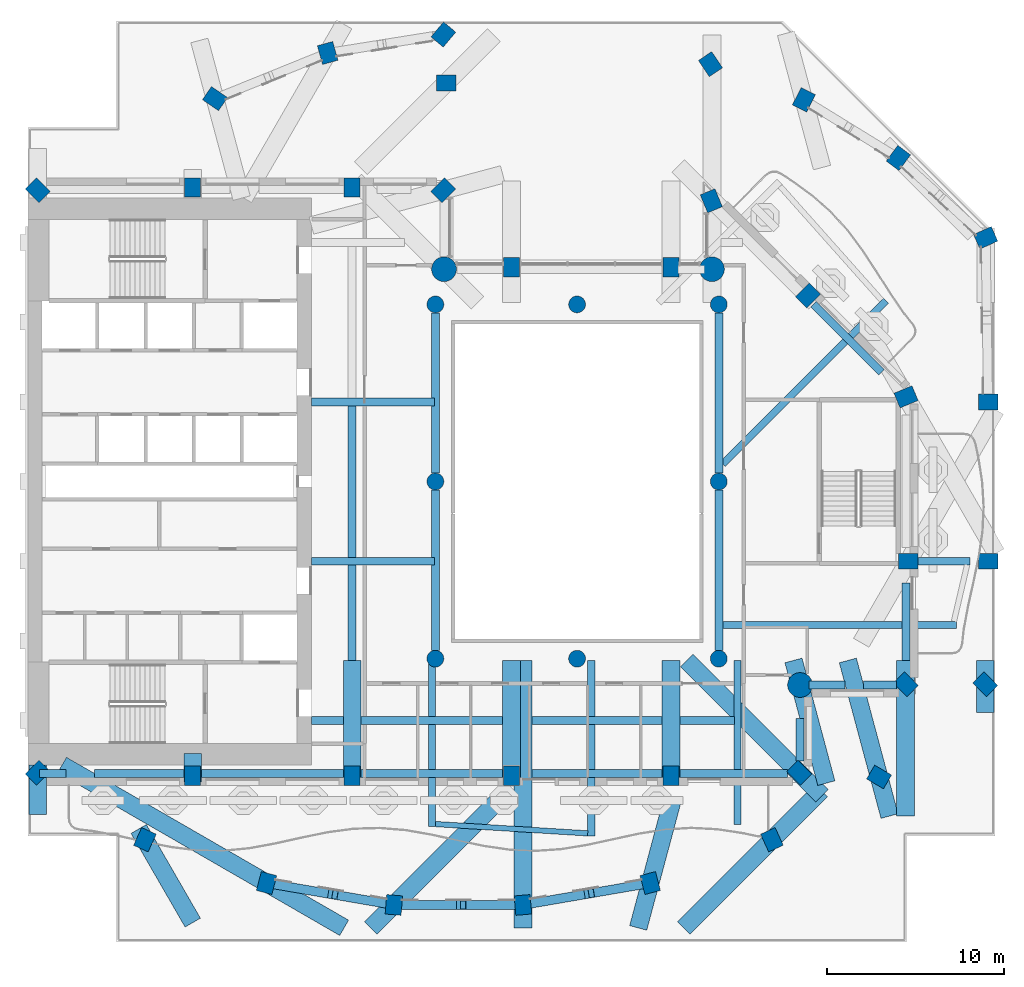
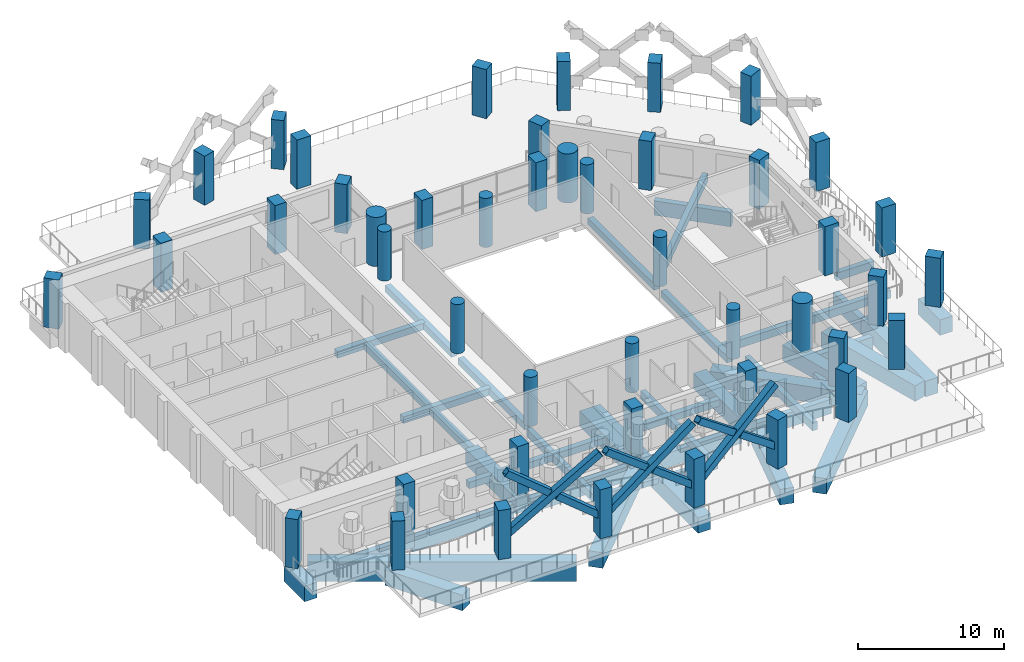
# One storey, part 1 of 18: 46 beams, 46 columns, 9 members.
"""IFC4 building model written with IfcOpenShell, lengths in metres."""

from ifc_helpers import new_model, si_unit, direction, frame, origin, origin_2d, place, context, subcontext, project, spatial, rectangle, hollow_rectangle, circle, extrude, material, material_profile, profile_set, type_object, element, save


model = new_model("IFC4")

# Units and contexts
model_context = context("Model", 3, precision=1e-05, world=origin(), true_north=direction((0.0, 1.0)))
body_context = subcontext(model_context, "Body", "Model", "MODEL_VIEW")
ifc_project = project(units=[si_unit("LENGTHUNIT", "METRE"), si_unit("AREAUNIT", "SQUARE_METRE"), si_unit("VOLUMEUNIT", "CUBIC_METRE"), si_unit("PLANEANGLEUNIT", "RADIAN"), si_unit("MASSUNIT", "GRAM", prefix="KILO")], contexts=[model_context])

# Site, building, storey
site_placement = place(None, origin())
site = spatial("IfcSite", under=ifc_project, at=site_placement, CompositionType="ELEMENT")
building_placement = place(site_placement, origin())
building = spatial("IfcBuilding", under=site, at=building_placement, Name="Cypress Arch Tower", CompositionType="ELEMENT")
storey_placement = place(building_placement, frame((0.0, 0.0, 160.5)))
storey = spatial("IfcBuildingStorey", under=building, at=storey_placement, Name="L34", CompositionType="ELEMENT", Elevation=160.5)

# Columns
ifc_material_1 = material(Name="Concrete C70/85", Category="concrete")
ifc_material_profile_1 = material_profile(ifc_material_1, rectangle(XDim=0.89990234375, YDim=1.10009765625, at=origin_2d()), Name="RC 900x1100")
ifc_profile_set_1 = profile_set([ifc_material_profile_1], Name="Concrete C70/85")
column_type_1 = type_object("IfcColumnType", Name="Column RC 900x1100 Concrete C70/85", PredefinedType="COLUMN", material=ifc_profile_set_1)
for number, where, z_axis, x_axis, name in (
    (1, (-29.44287109375, 16.44287109375, 0.0), (0.0, 0.0, 1.0), (-0.707106781187, -0.707106781187, 0.0), "Column L34 CB00"),
    (2, (-29.44287109375, -16.44287109375, 0.0), (0.0, 0.0, 1.0), (0.707106781187, -0.707106781187, 0.0), "Column L34 CB01"),
    (3, (-20.699951171875, -16.60009765625, 0.0), (0.0, 0.0, 1.0), (1.0, 0.0, 0.0), "Column L34 CB02"),
    (4, (-11.699951171875, -16.60009765625, 0.0), (0.0, 0.0, 1.0), (1.0, 0.0, 0.0), "Column L34 CB03"),
    (5, (-2.699951171875, -16.60009765625, 0.0), (0.0, 0.0, 1.0), (1.0, 0.0, 0.0), "Column L34 CB04"),
    (6, (6.300048828125, -16.60009765625, 0.0), (0.0, 0.0, 1.0), (1.0, 0.0, 0.0), "Column L34 CB05"),
    (7, (13.54296875, -16.44287109375, 0.0), (0.0, 0.0, 1.0), (0.707106781187, 0.707106781187, 0.0), "Column L34 CB06"),
    (8, (19.54296875, -11.44287109375, 0.0), (0.0, 0.0, 1.0), (0.707106781187, 0.707106781187, 0.0), "Column L34 CB08"),
    (9, (19.699951171875, -4.5, 0.0), (0.0, 0.0, 1.0), (0.0, 1.0, 0.0), "Column L34 CB09"),
    (10, (19.569580078125, 4.7802734375, 0.0), (0.0, 0.0, 1.0), (-0.382683496864, 0.923879505795, 0.0), "Column L34 CB10"),
    (11, (14.029296875, 10.505126953125, 0.0), (0.0, 0.0, 1.0), (-0.707106781187, 0.707106781187, 0.0), "Column L34 CB11"),
    (12, (8.576171875, 15.850341796875, 0.0), (0.0, 0.0, 1.0), (-0.923879672772, -0.382683093746, 0.0), "Column L34 CB12"),
    (13, (6.300048828125, 12.10009765625, 0.0), (0.0, 0.0, 1.0), (-1.0, 0.0, 0.0), "Column L34 CB14"),
    (14, (-2.699951171875, 12.10009765625, 0.0), (0.0, 0.0, 1.0), (-1.0, 0.0, 0.0), "Column L34 CB15"),
    (15, (-6.55712890625, 16.44287109375, 0.0), (0.0, 0.0, 1.0), (-0.707106781187, 0.707106781187, 0.0), "Column L34 CB17"),
    (16, (-11.699951171875, 16.60009765625, 0.0), (0.0, 0.0, 1.0), (-1.0, 0.0, 0.0), "Column L34 CB18"),
    (17, (-20.699951171875, 16.60009765625, 0.0), (0.0, 0.0, 1.0), (-1.0, 0.0, 0.0), "Column L34 CB19"),
    (18, (8.53076171875, 23.564697265625, 0.0), (0.0, 0.0, 1.0), (-0.828469606019, -0.560034027451, 0.0), "Column L34 CQ00"),
    (19, (-6.39990234375, 22.5, 0.0), (0.0, 0.0, 1.0), (0.0, 1.0, 0.0), "Column L34 CQ01"),
    (20, (-6.54833984375, 25.236572265625, 0.0), (0.0, 0.0, 1.0), (-0.766063514674, 0.642764880407, 0.0), "Column L34 CQ02"),
    (21, (-13.081298828125, 24.193359375, 0.0), (0.0, 0.0, 1.0), (-0.96345574646, -0.267867550506, 0.0), "Column L34 CQ03"),
    (22, (-19.44189453125, 21.616943359375, 0.0), (0.0, 0.0, 1.0), (-0.565892599589, -0.824478966215, 0.0), "Column L34 CQ04"),
    (23, (-23.398193359375, -20.221435546875, 0.0), (0.0, 0.0, 1.0), (0.909932071487, -0.414757308891, 0.0), "Column L34 CQ05"),
    (24, (-16.529052734375, -22.666259765625, 0.0), (0.0, 0.0, 1.0), (0.96735573689, -0.2534223319, 0.0), "Column L34 CQ06"),
    (25, (-9.3427734375, -23.903564453125, 0.0), (0.0, 0.0, 1.0), (0.996368206733, -0.085149260784, 0.0), "Column L34 CQ07"),
    (26, (-2.057373046875, -23.903564453125, 0.0), (0.0, 0.0, 1.0), (0.996368206733, 0.085149260784, 0.0), "Column L34 CQ08"),
    (27, (5.12890625, -22.666259765625, 0.0), (0.0, 0.0, 1.0), (0.96735573689, 0.2534223319, 0.0), "Column L34 CQ09"),
    (28, (11.998291015625, -20.221435546875, 0.0), (0.0, 0.0, 1.0), (0.909932071487, 0.414757308891, 0.0), "Column L34 CQ10"),
    (29, (18.048095703125, -16.677490234375, 0.0), (0.0, 0.0, 1.0), (0.504399289829, 0.86347053014, 0.0), "Column L34 CQ11"),
    (30, (24.04296875, -11.44287109375, 0.0), (0.0, 0.0, 1.0), (0.707106781187, 0.707106781187, 0.0), "Column L34 CQ12"),
    (31, (24.199951171875, -4.5, 0.0), (0.0, 0.0, 1.0), (0.0, 1.0, 0.0), "Column L34 CQ13"),
    (32, (24.199951171875, 4.5, 0.0), (0.0, 0.0, 1.0), (0.0, 1.0, 0.0), "Column L34 CQ14"),
    (33, (24.06396484375, 13.75927734375, 0.0), (0.0, 0.0, 1.0), (-0.409765058504, 0.912191096662, 0.0), "Column L34 CQ15"),
    (34, (19.13818359375, 18.267578125, 0.0), (0.0, 0.0, 1.0), (-0.802798546114, 0.596250362144, 0.0), "Column L34 CQ16"),
    (35, (13.80322265625, 21.549072265625, 0.0), (0.0, 0.0, 1.0), (-0.893106499805, 0.44984528452, 0.0), "Column L34 CQ17"),
):
    element("IfcColumn", number, at=place(storey_placement, frame(where, z_axis=z_axis, x_axis=x_axis)), inside=storey, type_object=column_type_1, Name=name, PredefinedType="COLUMN", context=body_context, shape_type="SweptSolid", body=[
        extrude(rectangle(XDim=0.89990234375, YDim=1.10009765625, at=origin_2d()), origin(), (0.0, 0.0, 1.0), 4.10009765625),
    ])
ifc_material_2 = material(Name="Concrete C70/85", Category="concrete")
ifc_material_profile_2 = material_profile(ifc_material_2, circle(Radius=0.47509765625, at=origin_2d()), Name="RC D950")
ifc_profile_set_2 = profile_set([ifc_material_profile_2], Name="Concrete C70/85")
column_type_2 = type_object("IfcColumnType", Name="Column RC D950 Concrete C70/85", PredefinedType="COLUMN", material=ifc_profile_set_2)
for number, where, z_axis, x_axis, name in (
    (36, (-7.0, -10.0, 0.0), (0.0, 0.0, 1.0), (1.0, 0.0, 0.0), "Column L34 RNG-L34-G-7-10"),
    (37, (-7.0, 0.0, 0.0), (0.0, 0.0, 1.0), (1.0, 0.0, 0.0), "Column L34 RNG-L34-G-7+0"),
    (38, (-7.0, 10.0, 0.0), (0.0, 0.0, 1.0), (1.0, 0.0, 0.0), "Column L34 RNG-L34-G-7+10"),
    (39, (1.0, -10.0, 0.0), (0.0, 0.0, 1.0), (1.0, 0.0, 0.0), "Column L34 RNG-L34-G+1-10"),
    (40, (1.0, 10.0, 0.0), (0.0, 0.0, 1.0), (1.0, 0.0, 0.0), "Column L34 RNG-L34-G+1+10"),
    (41, (9.0, -10.0, 0.0), (0.0, 0.0, 1.0), (1.0, 0.0, 0.0), "Column L34 RNG-L34-G+9-10"),
    (42, (9.0, 0.0, 0.0), (0.0, 0.0, 1.0), (1.0, 0.0, 0.0), "Column L34 RNG-L34-G+9+0"),
    (43, (9.0, 10.0, 0.0), (0.0, 0.0, 1.0), (1.0, 0.0, 0.0), "Column L34 RNG-L34-G+9+10"),
):
    element("IfcColumn", number, at=place(storey_placement, frame(where, z_axis=z_axis, x_axis=x_axis)), inside=storey, type_object=column_type_2, Name=name, PredefinedType="COLUMN", context=body_context, shape_type="SweptSolid", body=[
        extrude(circle(Radius=0.47509765625, at=origin_2d()), origin(), (0.0, 0.0, 1.0), 4.10009765625),
    ])
ifc_material_3 = material(Name="Concrete C70/85", Category="concrete")
ifc_material_profile_3 = material_profile(ifc_material_3, circle(Radius=0.699951171875, at=origin_2d()), Name="RC D1400")
ifc_profile_set_3 = profile_set([ifc_material_profile_3], Name="Concrete C70/85")
column_type_3 = type_object("IfcColumnType", Name="Mega-column RC D1400 Concrete C70/85", PredefinedType="COLUMN", material=ifc_profile_set_3)
for number, where, z_axis, x_axis, name in (
    (44, (13.587890625, -11.48779296875, 0.0), (0.0, 0.0, 1.0), (1.0, 0.0, 0.0), "Column L34 CB07"),
    (45, (8.612060546875, 11.98779296875, 0.0), (0.0, 0.0, 1.0), (1.0, 0.0, 0.0), "Column L34 CB13"),
    (46, (-6.51220703125, 11.98779296875, 0.0), (0.0, 0.0, 1.0), (1.0, 0.0, 0.0), "Column L34 CB16"),
):
    element("IfcColumn", number, at=place(storey_placement, frame(where, z_axis=z_axis, x_axis=x_axis)), inside=storey, type_object=column_type_3, Name=name, PredefinedType="COLUMN", context=body_context, shape_type="SweptSolid", body=[
        extrude(circle(Radius=0.699951171875, at=origin_2d()), origin(), (0.0, 0.0, 1.0), 4.10009765625),
    ])

# Beams
ifc_material_4 = material(Name="Concrete C50/60", Category="concrete")
ifc_material_profile_4 = material_profile(ifc_material_4, rectangle(XDim=0.300048828125, YDim=0.449951171875, at=origin_2d()), Name="RC 300x450")
ifc_profile_set_4 = profile_set([ifc_material_profile_4], Name="Concrete C50/60")
beam_type_1 = type_object("IfcBeamType", Name="Balcony edge beam RC 300x450 Concrete C50/60", PredefinedType="BEAM", material=ifc_profile_set_4)
beam_1_placement = place(storey_placement, frame((-7.0, -19.3359375, -0.52490234375), z_axis=(0.998139137365, -0.060977557021, 0.0), x_axis=(0.060977557021, 0.998139137365, 0.0)))
element("IfcBeam", 47, at=beam_1_placement, inside=storey, type_object=beam_type_1, Name="Balcony edge beam L34 B01", PredefinedType="BEAM", context=body_context, shape_type="SweptSolid", body=[
    extrude(rectangle(XDim=0.300048828125, YDim=0.449951171875, at=origin_2d()), origin(), (0.0, 0.0, 1.0), 8.6162109375),
])
ifc_material_5 = material(Name="Concrete C50/60", Category="concrete")
ifc_material_profile_5 = material_profile(ifc_material_5, rectangle(XDim=0.39990234375, YDim=0.64990234375, at=origin_2d()), Name="RC 400x650")
ifc_profile_set_5 = profile_set([ifc_material_profile_5], Name="Concrete C50/60")
beam_type_2 = type_object("IfcBeamType", Name="Cantilever beam RC 400x650 Concrete C50/60", PredefinedType="BEAM", material=ifc_profile_set_5)
beam_2_placement = place(storey_placement, frame((-7.199951171875, -10.10009765625, -0.625), z_axis=(0.0, -1.0, 0.0), x_axis=(1.0, 0.0, 0.0)))
element("IfcBeam", 48, at=beam_2_placement, inside=storey, type_object=beam_type_2, Name="Cantilever beam L34 B01 1", PredefinedType="BEAM", context=body_context, shape_type="SweptSolid", body=[
    extrude(rectangle(XDim=0.39990234375, YDim=0.64990234375, at=origin_2d()), origin(), (0.0, 0.0, 1.0), 9.3857421875),
])
beam_3_placement = place(storey_placement, frame((1.800048828125, -10.10009765625, -0.625), z_axis=(0.0, -1.0, 0.0), x_axis=(1.0, 0.0, 0.0)))
element("IfcBeam", 49, at=beam_3_placement, inside=storey, type_object=beam_type_2, Name="Cantilever beam L34 B01 2", PredefinedType="BEAM", context=body_context, shape_type="SweptSolid", body=[
    extrude(rectangle(XDim=0.39990234375, YDim=0.64990234375, at=origin_2d()), origin(), (0.0, 0.0, 1.0), 9.9111328125),
])
beam_4_placement = place(storey_placement, frame((10.050048828125, -10.10009765625, -0.625), z_axis=(0.0, -1.0, 0.0), x_axis=(1.0, 0.0, 0.0)))
element("IfcBeam", 50, at=beam_4_placement, inside=storey, type_object=beam_type_2, Name="Cantilever beam L34 B01 3", PredefinedType="BEAM", context=body_context, shape_type="SweptSolid", body=[
    extrude(rectangle(XDim=0.39990234375, YDim=0.64990234375, at=origin_2d()), origin(), (0.0, 0.0, 1.0), 9.251220703125),
])
beam_5_placement = place(storey_placement, frame((9.22509765625, -8.10009765625, -0.625), z_axis=(1.0, 0.0, 0.0), x_axis=(0.0, 1.0, 0.0)))
element("IfcBeam", 51, at=beam_5_placement, inside=storey, type_object=beam_type_2, Name="Cantilever beam L34 B04 1", PredefinedType="BEAM", context=body_context, shape_type="SweptSolid", body=[
    extrude(rectangle(XDim=0.39990234375, YDim=0.64990234375, at=origin_2d()), origin(), (0.0, 0.0, 1.0), 13.19677734375),
])
beam_6_placement = place(storey_placement, frame((20.25, -4.5, -0.625), z_axis=(1.0, 0.0, 0.0), x_axis=(0.0, 1.0, 0.0)))
element("IfcBeam", 52, at=beam_6_placement, inside=storey, type_object=beam_type_2, Name="Cantilever beam L34 B04 2", PredefinedType="BEAM", context=body_context, shape_type="SweptSolid", body=[
    extrude(rectangle(XDim=0.39990234375, YDim=0.64990234375, at=origin_2d()), origin(), (0.0, 0.0, 1.0), 2.91943359375),
])
beam_7_placement = place(storey_placement, frame((9.22509765625, 0.98388671875, -0.625), z_axis=(0.707106781187, 0.707106781187, 0.0), x_axis=(-0.707106781187, 0.707106781187, 0.0)))
element("IfcBeam", 53, at=beam_7_placement, inside=storey, type_object=beam_type_2, Name="Cantilever beam L34 B05 1", PredefinedType="BEAM", context=body_context, shape_type="SweptSolid", body=[
    extrude(rectangle(XDim=0.39990234375, YDim=0.64990234375, at=origin_2d()), origin(), (0.0, 0.0, 1.0), 13.02978515625),
])

# Members
ifc_material_6 = material(Name="Steel ASTM A500 Grade C", Category="steel")
ifc_material_profile_6 = material_profile(ifc_material_6, hollow_rectangle(XDim=0.508056640625, YDim=0.508056640625, WallThickness=0.017578125, at=origin_2d()), Name="HSS 20x20x3/4")
ifc_profile_set_6 = profile_set([ifc_material_profile_6], Name="Steel ASTM A500 Grade C")
member_type = type_object("IfcMemberType", Name="Exoskeleton brace HSS 20x20x3/4 Steel ASTM A500 Grade C", PredefinedType="BRACE", material=ifc_profile_set_6)
member_1_placement = place(storey_placement, frame((-16.3134765625, -22.703369140625, 1.6650390625), z_axis=(0.786796912002, -0.135469315435, 0.602161675831), x_axis=(0.169681485745, 0.985498956567, 0.0)))
element("IfcMember", 54, at=member_1_placement, inside=storey, type_object=member_type, Name="Exoskeleton brace L34 CQ06-CQ07a", PredefinedType="BRACE", context=body_context, shape_type="SweptSolid", body=[
    extrude(hollow_rectangle(XDim=0.508056640625, YDim=0.508056640625, WallThickness=0.017578125, at=origin_2d()), origin(), (0.0, 0.0, 1.0), 8.585693359375),
])
for number, where, z_axis, x_axis, name in (
    (55, (-16.3134765625, -22.703369140625, 6.8349609375), (0.786792869379, -0.135441169186, -0.602173289332), (0.169648092597, 0.985504705559, 0.0), "Exoskeleton brace L34 CQ06-CQ07b1"),
    (56, (-9.558349609375, -23.866455078125, 1.6650390625), (-0.786792869379, 0.135441169186, 0.602173289332), (-0.169648092597, -0.985504705559, 0.0), "Exoskeleton brace L34 CQ06-CQ07b2"),
):
    element("IfcMember", number, at=place(storey_placement, frame(where, z_axis=z_axis, x_axis=x_axis)), inside=storey, type_object=member_type, Name=name, PredefinedType="BRACE", context=body_context, shape_type="SweptSolid", body=[
        extrude(hollow_rectangle(XDim=0.508056640625, YDim=0.508056640625, WallThickness=0.017578125, at=origin_2d()), origin(), (0.0, 0.0, 1.0), 3.95654296875),
    ])
member_2_placement = place(storey_placement, frame((-9.1240234375, -23.903564453125, 1.6650390625), z_axis=(0.798104474193, 0.0, 0.602519085401), x_axis=(0.0, 1.0, 0.0)))
element("IfcMember", 57, at=member_2_placement, inside=storey, type_object=member_type, Name="Exoskeleton brace L34 CQ07-CQ08a", PredefinedType="BRACE", context=body_context, shape_type="SweptSolid", body=[
    extrude(hollow_rectangle(XDim=0.508056640625, YDim=0.508056640625, WallThickness=0.017578125, at=origin_2d()), origin(), (0.0, 0.0, 1.0), 8.58056640625),
])
for number, where, z_axis, x_axis, name in (
    (58, (-9.1240234375, -23.903564453125, 6.8349609375), (0.798106804844, 0.0, -0.60251599818), (0.0, 1.0, 0.0), "Exoskeleton brace L34 CQ07-CQ08b1"),
    (59, (-2.27587890625, -23.903564453125, 1.6650390625), (-0.798106804844, 0.0, 0.60251599818), (0.0, -1.0, 0.0), "Exoskeleton brace L34 CQ07-CQ08b2"),
):
    element("IfcMember", number, at=place(storey_placement, frame(where, z_axis=z_axis, x_axis=x_axis)), inside=storey, type_object=member_type, Name=name, PredefinedType="BRACE", context=body_context, shape_type="SweptSolid", body=[
        extrude(hollow_rectangle(XDim=0.508056640625, YDim=0.508056640625, WallThickness=0.017578125, at=origin_2d()), origin(), (0.0, 0.0, 1.0), 3.954345703125),
    ])
member_3_placement = place(storey_placement, frame((-1.841796875, -23.866455078125, 1.6650390625), z_axis=(0.786796912002, 0.135469315435, 0.602161675831), x_axis=(-0.169681485745, 0.985498956567, 0.0)))
element("IfcMember", 60, at=member_3_placement, inside=storey, type_object=member_type, Name="Exoskeleton brace L34 CQ08-CQ09a", PredefinedType="BRACE", context=body_context, shape_type="SweptSolid", body=[
    extrude(hollow_rectangle(XDim=0.508056640625, YDim=0.508056640625, WallThickness=0.017578125, at=origin_2d()), origin(), (0.0, 0.0, 1.0), 8.585693359375),
])
for number, where, z_axis, x_axis, name in (
    (61, (-1.841796875, -23.866455078125, 6.8349609375), (0.786792869379, 0.135441169186, -0.602173289332), (-0.169648092597, 0.985504705559, 0.0), "Exoskeleton brace L34 CQ08-CQ09b1"),
    (62, (4.913330078125, -22.703369140625, 1.6650390625), (-0.786792869379, -0.135441169186, 0.602173289332), (0.169648092597, -0.985504705559, 0.0), "Exoskeleton brace L34 CQ08-CQ09b2"),
):
    element("IfcMember", number, at=place(storey_placement, frame(where, z_axis=z_axis, x_axis=x_axis)), inside=storey, type_object=member_type, Name=name, PredefinedType="BRACE", context=body_context, shape_type="SweptSolid", body=[
        extrude(hollow_rectangle(XDim=0.508056640625, YDim=0.508056640625, WallThickness=0.017578125, at=origin_2d()), origin(), (0.0, 0.0, 1.0), 3.95654296875),
    ])

# Beams
ifc_material_7 = material(Name="Concrete C50/60", Category="concrete")
ifc_material_profile_7 = material_profile(ifc_material_7, rectangle(XDim=0.449951171875, YDim=0.550048828125, at=origin_2d()), Name="RC 450x550")
ifc_profile_set_7 = profile_set([ifc_material_profile_7], Name="Concrete C50/60")
beam_type_3 = type_object("IfcBeamType", Name="Floor beam RC 450x550 Concrete C50/60", PredefinedType="BEAM", material=ifc_profile_set_7)
for number, where, z_axis, x_axis, name in (
    (63, (-7.0, -9.52490234375, -0.574951171875), (0.0, 1.0, 0.0), (-1.0, 0.0, 0.0), "Floor beam L34 RB001"),
    (64, (-7.0, 0.47509765625, -0.574951171875), (0.0, 1.0, 0.0), (-1.0, 0.0, 0.0), "Floor beam L34 RB002"),
    (65, (9.0, -9.52490234375, -0.574951171875), (0.0, 1.0, 0.0), (-1.0, 0.0, 0.0), "Floor beam L34 RB003"),
    (66, (9.0, 0.47509765625, -0.574951171875), (0.0, 1.0, 0.0), (-1.0, 0.0, 0.0), "Floor beam L34 RB004"),
):
    element("IfcBeam", number, at=place(storey_placement, frame(where, z_axis=z_axis, x_axis=x_axis)), inside=storey, type_object=beam_type_3, Name=name, PredefinedType="BEAM", context=body_context, shape_type="SweptSolid", body=[
        extrude(rectangle(XDim=0.449951171875, YDim=0.550048828125, at=origin_2d()), origin(), (0.0, 0.0, 1.0), 9.0498046875),
    ])
beam_8_placement = place(storey_placement, frame((-14.0, -13.5, -0.574951171875), z_axis=(1.0, 0.0, 0.0), x_axis=(0.0, 1.0, 0.0)))
element("IfcBeam", 67, at=beam_8_placement, inside=storey, type_object=beam_type_3, Name="Floor beam L34 FB009", PredefinedType="BEAM", context=body_context, shape_type="SweptSolid", body=[
    extrude(rectangle(XDim=0.449951171875, YDim=0.550048828125, at=origin_2d()), origin(), (0.0, 0.0, 1.0), 1.800048828125),
])
beam_9_placement = place(storey_placement, frame((-11.199951171875, -13.5, -0.574951171875), z_axis=(1.0, 0.0, 0.0), x_axis=(0.0, 1.0, 0.0)))
element("IfcBeam", 68, at=beam_9_placement, inside=storey, type_object=beam_type_3, Name="Floor beam L34 FB010", PredefinedType="BEAM", context=body_context, shape_type="SweptSolid", body=[
    extrude(rectangle(XDim=0.449951171875, YDim=0.550048828125, at=origin_2d()), origin(), (0.0, 0.0, 1.0), 8.0),
])
beam_10_placement = place(storey_placement, frame((-1.557373046875, -13.5, -0.574951171875), z_axis=(1.0, 0.0, 0.0), x_axis=(0.0, 1.0, 0.0)))
element("IfcBeam", 69, at=beam_10_placement, inside=storey, type_object=beam_type_3, Name="Floor beam L34 FB011", PredefinedType="BEAM", context=body_context, shape_type="SweptSolid", body=[
    extrude(rectangle(XDim=0.449951171875, YDim=0.550048828125, at=origin_2d()), origin(), (0.0, 0.0, 1.0), 7.357421875),
])
beam_11_placement = place(storey_placement, frame((6.800048828125, -13.5, -0.574951171875), z_axis=(1.0, 0.0, 0.0), x_axis=(0.0, 1.0, 0.0)))
element("IfcBeam", 70, at=beam_11_placement, inside=storey, type_object=beam_type_3, Name="Floor beam L34 FB012", PredefinedType="BEAM", context=body_context, shape_type="SweptSolid", body=[
    extrude(rectangle(XDim=0.449951171875, YDim=0.550048828125, at=origin_2d()), origin(), (0.0, 0.0, 1.0), 3.0927734375),
])
for number, where, z_axis, x_axis, name in (
    (71, (-14.0, -4.5, -0.574951171875), (1.0, 0.0, 0.0), (0.0, 1.0, 0.0), "Floor beam L34 FB013"),
    (72, (-14.0, 4.5, -0.574951171875), (1.0, 0.0, 0.0), (0.0, 1.0, 0.0), "Floor beam L34 FB014"),
):
    element("IfcBeam", number, at=place(storey_placement, frame(where, z_axis=z_axis, x_axis=x_axis)), inside=storey, type_object=beam_type_3, Name=name, PredefinedType="BEAM", context=body_context, shape_type="SweptSolid", body=[
        extrude(rectangle(XDim=0.449951171875, YDim=0.550048828125, at=origin_2d()), origin(), (0.0, 0.0, 1.0), 6.949951171875),
    ])
beam_12_placement = place(storey_placement, frame((-11.699951171875, -10.10009765625, -0.574951171875), z_axis=(0.0, 1.0, 0.0), x_axis=(-1.0, 0.0, 0.0)))
element("IfcBeam", 73, at=beam_12_placement, inside=storey, type_object=beam_type_3, Name="Floor beam L34 FB017", PredefinedType="BEAM", context=body_context, shape_type="SweptSolid", body=[
    extrude(rectangle(XDim=0.449951171875, YDim=0.550048828125, at=origin_2d()), origin(), (0.0, 0.0, 1.0), 5.375),
])
beam_13_placement = place(storey_placement, frame((-11.699951171875, -4.27490234375, -0.574951171875), z_axis=(0.0, 1.0, 0.0), x_axis=(-1.0, 0.0, 0.0)))
element("IfcBeam", 74, at=beam_13_placement, inside=storey, type_object=beam_type_3, Name="Floor beam L34 FB018", PredefinedType="BEAM", context=body_context, shape_type="SweptSolid", body=[
    extrude(rectangle(XDim=0.449951171875, YDim=0.550048828125, at=origin_2d()), origin(), (0.0, 0.0, 1.0), 8.5498046875),
])
ifc_material_8 = material(Name="Concrete C50/60", Category="concrete")
ifc_material_profile_8 = material_profile(ifc_material_8, rectangle(XDim=0.449951171875, YDim=1.199951171875, at=origin_2d()), Name="RC 450x1200")
ifc_profile_set_8 = profile_set([ifc_material_profile_8], Name="Concrete C50/60")
beam_type_4 = type_object("IfcBeamType", Name="Spandrel beam RC 450x1200 Concrete C50/60", PredefinedType="SPANDREL", material=ifc_profile_set_8)
beam_14_placement = place(storey_placement, frame((-29.34765625, -16.47509765625, -1.550048828125), z_axis=(1.0, 0.0, 0.0), x_axis=(0.0, 1.0, 0.0)))
element("IfcBeam", 75, at=beam_14_placement, inside=storey, type_object=beam_type_4, Name="Spandrel beam L34 BB01-0", PredefinedType="SPANDREL", context=body_context, shape_type="SweptSolid", body=[
    extrude(rectangle(XDim=0.449951171875, YDim=1.199951171875, at=origin_2d()), origin(), (0.0, 0.0, 1.0), 1.5),
])
beam_15_placement = place(storey_placement, frame((-26.25244140625, -16.47509765625, -1.550048828125), z_axis=(1.0, 0.0, 0.0), x_axis=(0.0, 1.0, 0.0)))
element("IfcBeam", 76, at=beam_15_placement, inside=storey, type_object=beam_type_4, Name="Spandrel beam L34 BB01-0", PredefinedType="SPANDREL", context=body_context, shape_type="SweptSolid", body=[
    extrude(rectangle(XDim=0.449951171875, YDim=1.199951171875, at=origin_2d()), origin(), (0.0, 0.0, 1.0), 5.052490234375),
])
for number, where, z_axis, x_axis, name in (
    (77, (-20.199951171875, -16.47509765625, -1.550048828125), (1.0, 0.0, 0.0), (0.0, 1.0, 0.0), "Spandrel beam L34 BB01-1"),
    (78, (-11.199951171875, -16.47509765625, -1.550048828125), (1.0, 0.0, 0.0), (0.0, 1.0, 0.0), "Spandrel beam L34 BB01-2"),
):
    element("IfcBeam", number, at=place(storey_placement, frame(where, z_axis=z_axis, x_axis=x_axis)), inside=storey, type_object=beam_type_4, Name=name, PredefinedType="SPANDREL", context=body_context, shape_type="SweptSolid", body=[
        extrude(rectangle(XDim=0.449951171875, YDim=1.199951171875, at=origin_2d()), origin(), (0.0, 0.0, 1.0), 8.0),
    ])
beam_16_placement = place(storey_placement, frame((-1.557373046875, -16.47509765625, -1.550048828125), z_axis=(1.0, 0.0, 0.0), x_axis=(0.0, 1.0, 0.0)))
element("IfcBeam", 79, at=beam_16_placement, inside=storey, type_object=beam_type_4, Name="Spandrel beam L34 BB01-3", PredefinedType="SPANDREL", context=body_context, shape_type="SweptSolid", body=[
    extrude(rectangle(XDim=0.449951171875, YDim=1.199951171875, at=origin_2d()), origin(), (0.0, 0.0, 1.0), 7.357421875),
])
beam_17_placement = place(storey_placement, frame((6.800048828125, -16.47509765625, -1.550048828125), z_axis=(1.0, 0.0, 0.0), x_axis=(0.0, 1.0, 0.0)))
element("IfcBeam", 80, at=beam_17_placement, inside=storey, type_object=beam_type_4, Name="Spandrel beam L34 BB01-4", PredefinedType="SPANDREL", context=body_context, shape_type="SweptSolid", body=[
    extrude(rectangle(XDim=0.449951171875, YDim=1.199951171875, at=origin_2d()), origin(), (0.0, 0.0, 1.0), 6.06787109375),
])
beam_18_placement = place(storey_placement, frame((13.574951171875, -15.767822265625, -1.550048828125), z_axis=(0.0, 1.0, 0.0), x_axis=(-1.0, 0.0, 0.0)))
element("IfcBeam", 81, at=beam_18_placement, inside=storey, type_object=beam_type_4, Name="Spandrel beam L34 BB02-0", PredefinedType="SPANDREL", context=body_context, shape_type="SweptSolid", body=[
    extrude(rectangle(XDim=0.449951171875, YDim=1.199951171875, at=origin_2d()), origin(), (0.0, 0.0, 1.0), 2.396240234375),
])
beam_19_placement = place(storey_placement, frame((14.10205078125, -11.47509765625, -1.550048828125), z_axis=(1.0, 0.0, 0.0), x_axis=(0.0, 1.0, 0.0)))
element("IfcBeam", 82, at=beam_19_placement, inside=storey, type_object=beam_type_4, Name="Spandrel beam L34 BB03-0", PredefinedType="SPANDREL", context=body_context, shape_type="SweptSolid", body=[
    extrude(rectangle(XDim=0.449951171875, YDim=1.199951171875, at=origin_2d()), origin(), (0.0, 0.0, 1.0), 2.034423828125),
])
beam_20_placement = place(storey_placement, frame((17.171630859375, -11.47509765625, -1.550048828125), z_axis=(1.0, 0.0, 0.0), x_axis=(0.0, 1.0, 0.0)))
element("IfcBeam", 83, at=beam_20_placement, inside=storey, type_object=beam_type_4, Name="Spandrel beam L34 BB03-0", PredefinedType="SPANDREL", context=body_context, shape_type="SweptSolid", body=[
    extrude(rectangle(XDim=0.449951171875, YDim=1.199951171875, at=origin_2d()), origin(), (0.0, 0.0, 1.0), 1.871337890625),
])
beam_21_placement = place(storey_placement, frame((19.574951171875, -10.10009765625, -1.550048828125), z_axis=(0.0, 1.0, 0.0), x_axis=(-1.0, 0.0, 0.0)))
element("IfcBeam", 84, at=beam_21_placement, inside=storey, type_object=beam_type_4, Name="Spandrel beam L34 BB04-0", PredefinedType="SPANDREL", context=body_context, shape_type="SweptSolid", body=[
    extrude(rectangle(XDim=0.449951171875, YDim=1.199951171875, at=origin_2d()), origin(), (0.0, 0.0, 1.0), 4.383544921875),
])
beam_22_placement = place(storey_placement, frame((18.193359375, 6.164306640625, -1.550048828125), z_axis=(-0.707106781187, 0.707106781187, 0.0), x_axis=(-0.707106781187, -0.707106781187, 0.0)))
element("IfcBeam", 85, at=beam_22_placement, inside=storey, type_object=beam_type_4, Name="Spandrel beam L34 BB05-0", PredefinedType="SPANDREL", context=body_context, shape_type="SweptSolid", body=[
    extrude(rectangle(XDim=0.449951171875, YDim=1.199951171875, at=origin_2d()), origin(), (0.0, 0.0, 1.0), 5.441162109375),
])
ifc_material_9 = material(Name="Concrete C80/95", Category="concrete")
ifc_material_profile_9 = material_profile(ifc_material_9, rectangle(XDim=1.0, YDim=1.300048828125, at=origin_2d()), Name="RC 1000x1300")
ifc_profile_set_9 = profile_set([ifc_material_profile_9], Name="Concrete C80/95")
beam_type_5 = type_object("IfcBeamType", Name="Transfer girder RC 1000x1300 Concrete C80/95", PredefinedType="BEAM", material=ifc_profile_set_9)
beam_23_placement = place(storey_placement, frame((-29.44287109375, -18.806396484375, -0.949951171875), z_axis=(0.0, 1.0, 0.0), x_axis=(-1.0, 0.0, 0.0)))
element("IfcBeam", 86, at=beam_23_placement, inside=storey, type_object=beam_type_5, Name="Transfer girder L34 CB01", PredefinedType="BEAM", context=body_context, shape_type="SweptSolid", body=[
    extrude(rectangle(XDim=1.0, YDim=1.300048828125, at=origin_2d()), origin(), (0.0, 0.0, 1.0), 2.806396484375),
])
beam_24_placement = place(storey_placement, frame((-20.699951171875, -16.97509765625, -0.949951171875), z_axis=(0.0, 1.0, 0.0), x_axis=(-1.0, 0.0, 0.0)))
element("IfcBeam", 87, at=beam_24_placement, inside=storey, type_object=beam_type_5, Name="Transfer girder L34 CB02", PredefinedType="BEAM", context=body_context, shape_type="SweptSolid", body=[
    extrude(rectangle(XDim=1.0, YDim=1.300048828125, at=origin_2d()), origin(), (0.0, 0.0, 1.0), 1.625),
])
for number, where, z_axis, x_axis, name in (
    (88, (-11.699951171875, -16.97509765625, -0.949951171875), (0.0, 1.0, 0.0), (-1.0, 0.0, 0.0), "Transfer girder L34 CB03"),
    (89, (-2.699951171875, -16.97509765625, -0.949951171875), (0.0, 1.0, 0.0), (-1.0, 0.0, 0.0), "Transfer girder L34 CB04"),
    (90, (6.300048828125, -16.97509765625, -0.949951171875), (0.0, 1.0, 0.0), (-1.0, 0.0, 0.0), "Transfer girder L34 CB05"),
):
    element("IfcBeam", number, at=place(storey_placement, frame(where, z_axis=z_axis, x_axis=x_axis)), inside=storey, type_object=beam_type_5, Name=name, PredefinedType="BEAM", context=body_context, shape_type="SweptSolid", body=[
        extrude(rectangle(XDim=1.0, YDim=1.300048828125, at=origin_2d()), origin(), (0.0, 0.0, 1.0), 6.875),
    ])
beam_25_placement = place(storey_placement, frame((14.826416015625, -17.726318359375, -0.949951171875), z_axis=(-0.707118099332, 0.70709546286, 0.0), x_axis=(-0.70709546286, -0.707118099332, 0.0)))
element("IfcBeam", 91, at=beam_25_placement, inside=storey, type_object=beam_type_5, Name="Transfer girder L34 CB06", PredefinedType="BEAM", context=body_context, shape_type="SweptSolid", body=[
    extrude(rectangle(XDim=1.0, YDim=1.300048828125, at=origin_2d()), origin(), (0.0, 0.0, 1.0), 10.78515625),
])
beam_26_placement = place(storey_placement, frame((15.072021484375, -17.027099609375, -0.949951171875), z_axis=(-0.258802450652, 0.965930272606, 0.0), x_axis=(-0.965930272606, -0.258802450652, 0.0)))
element("IfcBeam", 92, at=beam_26_placement, inside=storey, type_object=beam_type_5, Name="Transfer girder L34 CB07", PredefinedType="BEAM", context=body_context, shape_type="SweptSolid", body=[
    extrude(rectangle(XDim=1.0, YDim=1.300048828125, at=origin_2d()), origin(), (0.0, 0.0, 1.0), 7.17138671875),
])
beam_27_placement = place(storey_placement, frame((19.54296875, -18.891845703125, -0.949951171875), z_axis=(0.0, 1.0, 0.0), x_axis=(-1.0, 0.0, 0.0)))
element("IfcBeam", 93, at=beam_27_placement, inside=storey, type_object=beam_type_5, Name="Transfer girder L34 CB08", PredefinedType="BEAM", context=body_context, shape_type="SweptSolid", body=[
    extrude(rectangle(XDim=1.0, YDim=1.300048828125, at=origin_2d()), origin(), (0.0, 0.0, 1.0), 8.791748046875),
])
beam_28_placement = place(storey_placement, frame((-20.697021484375, -24.89990234375, -0.949951171875), z_axis=(-0.500011000363, 0.866019052629, 0.0), x_axis=(-0.866019052629, -0.500011000363, 0.0)))
element("IfcBeam", 94, at=beam_28_placement, inside=storey, type_object=beam_type_5, Name="Transfer girder L34 CQ05", PredefinedType="BEAM", context=body_context, shape_type="SweptSolid", body=[
    extrude(rectangle(XDim=1.0, YDim=1.300048828125, at=origin_2d()), origin(), (0.0, 0.0, 1.0), 6.103271484375),
])
beam_29_placement = place(storey_placement, frame((-10.638916015625, -25.199951171875, -0.949951171875), z_axis=(0.707106781187, 0.707106781187, 0.0), x_axis=(-0.707106781187, 0.707106781187, 0.0)))
element("IfcBeam", 95, at=beam_29_placement, inside=storey, type_object=beam_type_5, Name="Transfer girder L34 CQ07", PredefinedType="BEAM", context=body_context, shape_type="SweptSolid", body=[
    extrude(rectangle(XDim=1.0, YDim=1.300048828125, at=origin_2d()), origin(), (0.0, 0.0, 1.0), 10.561279296875),
])
beam_30_placement = place(storey_placement, frame((-2.057373046875, -25.199951171875, -0.949951171875), z_axis=(0.0, 1.0, 0.0), x_axis=(-1.0, 0.0, 0.0)))
element("IfcBeam", 96, at=beam_30_placement, inside=storey, type_object=beam_type_5, Name="Transfer girder L34 CQ08", PredefinedType="BEAM", context=body_context, shape_type="SweptSolid", body=[
    extrude(rectangle(XDim=1.0, YDim=1.300048828125, at=origin_2d()), origin(), (0.0, 0.0, 1.0), 15.099853515625),
])
beam_31_placement = place(storey_placement, frame((4.449951171875, -25.199951171875, -0.949951171875), z_axis=(0.258837867654, 0.965920782605, 0.0), x_axis=(-0.965920782605, 0.258837867654, 0.0)))
element("IfcBeam", 97, at=beam_31_placement, inside=storey, type_object=beam_type_5, Name="Transfer girder L34 CQ09", PredefinedType="BEAM", context=body_context, shape_type="SweptSolid", body=[
    extrude(rectangle(XDim=1.0, YDim=1.300048828125, at=origin_2d()), origin(), (0.0, 0.0, 1.0), 7.43359375),
])
beam_32_placement = place(storey_placement, frame((7.01953125, -25.199951171875, -0.949951171875), z_axis=(0.707106781187, 0.707106781187, 0.0), x_axis=(-0.707106781187, 0.707106781187, 0.0)))
element("IfcBeam", 98, at=beam_32_placement, inside=storey, type_object=beam_type_5, Name="Transfer girder L34 CQ10", PredefinedType="BEAM", context=body_context, shape_type="SweptSolid", body=[
    extrude(rectangle(XDim=1.0, YDim=1.300048828125, at=origin_2d()), origin(), (0.0, 0.0, 1.0), 10.97265625),
])
beam_33_placement = place(storey_placement, frame((18.639892578125, -18.886474609375, -0.949951171875), z_axis=(-0.258813448639, 0.96592732584, 0.0), x_axis=(-0.96592732584, -0.258813448639, 0.0)))
element("IfcBeam", 99, at=beam_33_placement, inside=storey, type_object=beam_type_5, Name="Transfer girder L34 CQ11", PredefinedType="BEAM", context=body_context, shape_type="SweptSolid", body=[
    extrude(rectangle(XDim=1.0, YDim=1.300048828125, at=origin_2d()), origin(), (0.0, 0.0, 1.0), 9.09619140625),
])
beam_34_placement = place(storey_placement, frame((24.04296875, -13.050048828125, -0.949951171875), z_axis=(0.0, 1.0, 0.0), x_axis=(-1.0, 0.0, 0.0)))
element("IfcBeam", 100, at=beam_34_placement, inside=storey, type_object=beam_type_5, Name="Transfer girder L34 CQ12", PredefinedType="BEAM", context=body_context, shape_type="SweptSolid", body=[
    extrude(rectangle(XDim=1.0, YDim=1.300048828125, at=origin_2d()), origin(), (0.0, 0.0, 1.0), 2.949951171875),
])
ifc_material_10 = material(Name="Concrete C80/95", Category="concrete")
ifc_material_profile_10 = material_profile(ifc_material_10, rectangle(XDim=1.0, YDim=1.60009765625, at=origin_2d()), Name="RC 1000x1600")
ifc_profile_set_10 = profile_set([ifc_material_profile_10], Name="Concrete C80/95")
beam_type_6 = type_object("IfcBeamType", Name="Transfer girder RC 1000x1600 Concrete C80/95", PredefinedType="BEAM", material=ifc_profile_set_10)
beam_35_placement = place(storey_placement, frame((-12.14990234375, -25.1943359375, -1.10009765625), z_axis=(-0.866028611999, 0.499994443168, 0.0), x_axis=(-0.499994443168, -0.866028611999, 0.0)))
element("IfcBeam", 101, at=beam_35_placement, inside=storey, type_object=beam_type_6, Name="Transfer girder L34 CQ06", PredefinedType="BEAM", context=body_context, shape_type="SweptSolid", body=[
    extrude(rectangle(XDim=1.0, YDim=1.60009765625, at=origin_2d()), origin(), (0.0, 0.0, 1.0), 18.388916015625),
])

save(model, "model.ifc")
